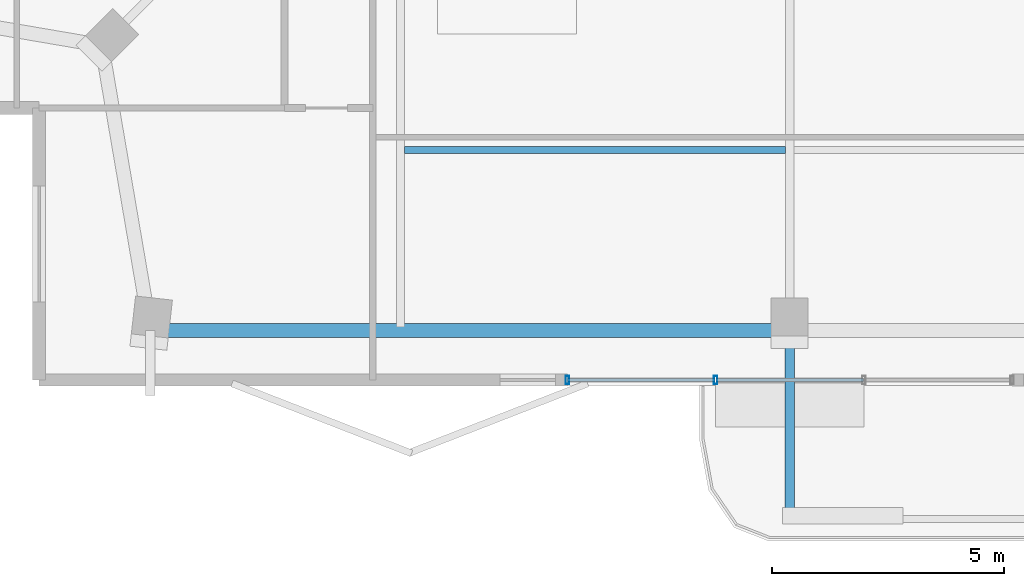
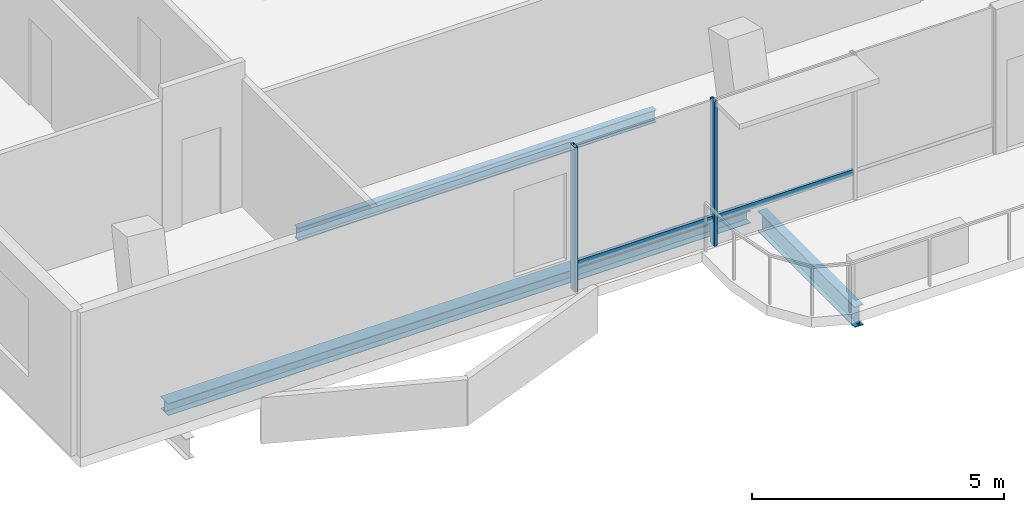
# One storey, part 2 of 19: 4 members, 3 beams, 1 element without a shape of its own.
"""IFC4 building model written with IfcOpenShell, lengths in metres."""

import ifcopenshell
import ifcopenshell.guid

model = None  # the IFC model being written
_history = None  # IfcOwnerHistory: only IFC2X3 demands one
_inside = {}  # id of a spatial element -> (the spatial element, [elements in it])
_under = {}  # id of a project, library or spatial element -> (it, [spatial elements below it])
_declared = {}  # id of a project -> (the project, [libraries it declares])
_typed = {}  # id of a type object -> (the type object, [elements of that type])
_made_of = {}  # id of a material, layer set ... -> (it, [elements and type objects made of it])


def new_model(schema):
    """Start an empty IFC model of exactly this schema.

    Asked for "IFC4X3", IfcOpenShell would pick the latest addendum, in which some entities
    have other attributes; the version numbers below select the first issue.
    IFC2X3 requires an IfcOwnerHistory on every rooted entity: one is made here for all.
    """
    global model, _history
    if schema == "IFC4X3":
        model = ifcopenshell.file(schema_version=(4, 3, 0, 0))
    else:
        model = ifcopenshell.file(schema=schema)
    _inside.clear()
    _under.clear()
    _declared.clear()
    _typed.clear()
    _made_of.clear()
    _history = None
    if model.schema == "IFC2X3":
        org = make("IfcOrganization", Name="unknown")
        user = make(
            "IfcPersonAndOrganization",
            ThePerson=make("IfcPerson", FamilyName="unknown"),
            TheOrganization=org,
        )
        app = make(
            "IfcApplication",
            ApplicationDeveloper=org,
            Version="unknown",
            ApplicationFullName="unknown",
            ApplicationIdentifier="unknown",
        )
        _history = make(
            "IfcOwnerHistory",
            OwningUser=user,
            OwningApplication=app,
            ChangeAction="ADDED",
            CreationDate=0,
        )
    return model


def make(cls, **values):
    """One entity of the class cls with the attributes given. An attribute that is None is left unset."""
    return model.create_entity(
        cls, **{name: value for name, value in values.items() if value is not None}
    )


def rooted(cls, **values):
    """An entity with a GlobalId (a new one), such as an element, a storey or a relation."""
    return make(cls, GlobalId=ifcopenshell.guid.new(), OwnerHistory=_history, **values)


def si_unit(unit_type, name, prefix=None):
    """IfcSIUnit, for example si_unit("LENGTHUNIT", "METRE", prefix="MILLI")."""
    return make("IfcSIUnit", UnitType=unit_type, Prefix=prefix, Name=name)


def assignment(units):
    """IfcUnitAssignment: the units of a project."""
    return None if units is None else make("IfcUnitAssignment", Units=units)


def point(xyz):
    """IfcCartesianPoint."""
    return None if xyz is None else make("IfcCartesianPoint", Coordinates=xyz)


def direction(xyz):
    """IfcDirection."""
    return None if xyz is None else make("IfcDirection", DirectionRatios=xyz)


def frame(location, z_axis=None, x_axis=None):
    """IfcAxis2Placement3D, a coordinate frame: its origin and axes. An axis left out is left unset."""
    return make(
        "IfcAxis2Placement3D",
        Location=point(location),
        Axis=direction(z_axis),
        RefDirection=direction(x_axis),
    )


def frame_2d(location, x_axis=None):
    """IfcAxis2Placement2D, a coordinate frame in the plane: its origin and x axis."""
    return make(
        "IfcAxis2Placement2D", Location=point(location), RefDirection=direction(x_axis)
    )


def origin():
    """The frame at (0, 0, 0) with its axes left unset."""
    return frame((0.0, 0.0, 0.0))


def origin_2d():
    """The frame at (0, 0) in the plane with its x axis left unset."""
    return frame_2d((0.0, 0.0))


def place(relative_to, where):
    """IfcLocalPlacement: puts the frame where relative to a parent placement (None: the world)."""
    return make(
        "IfcLocalPlacement", PlacementRelTo=relative_to, RelativePlacement=where
    )


def context(
    kind, dimensions, precision=None, world=None, true_north=None, identifier=None
):
    """IfcGeometricRepresentationContext, for example the 3D "Model" context."""
    return make(
        "IfcGeometricRepresentationContext",
        ContextIdentifier=identifier,
        ContextType=kind,
        CoordinateSpaceDimension=dimensions,
        Precision=precision,
        WorldCoordinateSystem=world,
        TrueNorth=true_north,
    )


def subcontext(parent, identifier, kind, view, scale=None):
    """IfcGeometricRepresentationSubContext, for example "Body" below "Model"."""
    return make(
        "IfcGeometricRepresentationSubContext",
        ContextIdentifier=identifier,
        ContextType=kind,
        ParentContext=parent,
        TargetScale=scale,
        TargetView=view,
    )


def project(units=None, contexts=None):
    """IfcProject with its units and contexts."""
    return rooted(
        "IfcProject",
        Name="project",
        RepresentationContexts=contexts,
        UnitsInContext=assignment(units),
    )


def spatial(cls, under=None, at=None, **own):
    """A site, building, storey or space (cls), placed at a placement, below another one or the project."""
    s = rooted(cls, ObjectPlacement=at, **own)
    if under is not None:
        _under.setdefault(under.id(), (under, []))[1].append(s)
    return s


def profile(cls, at=None, kind="AREA", **sizes):
    """A parametric profile (cls). Its sizes go by their IFC names, for example OverallWidth=200.0."""
    return make(cls, ProfileType=kind, Position=at, **sizes)


def hollow_rectangle(**sizes):
    """IfcRectangleHollowProfileDef."""
    return profile("IfcRectangleHollowProfileDef", **sizes)


def i_section(**sizes):
    """IfcIShapeProfileDef."""
    return profile("IfcIShapeProfileDef", **sizes)


def extrude(swept, where, along, depth):
    """IfcExtrudedAreaSolid: the profile swept, set in the frame where, extruded along a direction by depth."""
    return make(
        "IfcExtrudedAreaSolid",
        SweptArea=swept,
        Position=where,
        ExtrudedDirection=direction(along),
        Depth=depth,
    )


def shape(context_of_items, identifier, shape_type, items):
    """IfcShapeRepresentation: the items that make up one representation, for example the "Body"."""
    return make(
        "IfcShapeRepresentation",
        ContextOfItems=context_of_items,
        RepresentationIdentifier=identifier,
        RepresentationType=shape_type,
        Items=items,
    )


def material(Name=None, Category=None):
    """IfcMaterial."""
    return make("IfcMaterial", Name=Name, Category=Category)


def layer(
    of_material, thickness, ventilated=None, Name=None, Category=None, Priority=None
):
    """IfcMaterialLayer: one layer of a wall or slab, of a material (None: an air gap)."""
    return make(
        "IfcMaterialLayer",
        Material=of_material,
        LayerThickness=thickness,
        IsVentilated=ventilated,
        Name=Name,
        Category=Category,
        Priority=Priority,
    )


def layer_set(layers, Name=None):
    """IfcMaterialLayerSet."""
    return make("IfcMaterialLayerSet", MaterialLayers=layers, LayerSetName=Name)


def material_profile(
    of_material, cross_section, Name=None, Category=None, Priority=None
):
    """IfcMaterialProfile: a cross section and its material."""
    return make(
        "IfcMaterialProfile",
        Name=Name,
        Material=of_material,
        Profile=cross_section,
        Priority=Priority,
        Category=Category,
    )


def profile_set(profiles, Name=None, composite=None):
    """IfcMaterialProfileSet."""
    return make(
        "IfcMaterialProfileSet",
        Name=Name,
        MaterialProfiles=profiles,
        CompositeProfile=composite,
    )


def made_of(thing, what):
    """Note that an element or type object is made of a material, layer set ...; save() writes the relation."""
    if what is not None:
        _made_of.setdefault(what.id(), (what, []))[1].append(thing)
    return thing


def type_object(cls, material=None, **own):
    """A type object (cls), such as IfcWallType, which elements share."""
    return made_of(rooted(cls, **own), material)


def element(
    cls,
    number,
    at=None,
    inside=None,
    cuts=None,
    type_object=None,
    material=None,
    context=None,
    identifier="Body",
    shape_type=None,
    held_by="IfcProductDefinitionShape",
    body=None,
    shapes=None,
    **own,
):
    """One element of the class cls, such as IfcWall. Its Tag is "e" and its number.

    at: its placement. inside: the storey or other place that contains it. cuts: it is an
    opening in that element (IfcRelVoidsElement). A single representation is given by context,
    identifier, shape_type and body (its items); several are given by shapes. held_by: the class
    of the entity that holds the representations. save() writes the other relations.
    """
    e = rooted(cls, Tag="e%d" % number, ObjectPlacement=at, **own)
    if body is not None:
        shapes = [shape(context, identifier, shape_type, body)]
    if shapes is not None:
        e.Representation = make(held_by, Representations=shapes)
    if inside is not None:
        _inside.setdefault(inside.id(), (inside, []))[1].append(e)
    if cuts is not None:
        rooted(
            "IfcRelVoidsElement", RelatingBuildingElement=cuts, RelatedOpeningElement=e
        )
    if type_object is not None:
        _typed.setdefault(type_object.id(), (type_object, []))[1].append(e)
    return made_of(e, material)


def aggregate(whole, parts):
    """IfcRelAggregates: a whole, such as a stair, and the parts it consists of."""
    return rooted("IfcRelAggregates", RelatingObject=whole, RelatedObjects=parts)


def save(model, path):
    """Write the relations noted so far, then the file.

    IfcRelAggregates (storeys below a building ...), IfcRelContainedInSpatialStructure (elements
    in a storey), IfcRelDefinesByType, IfcRelAssociatesMaterial and IfcRelDeclares: one each for
    every whole, place, type object, material and project.
    """
    for whole, parts in _under.values():
        aggregate(whole, parts)
    for where, things in _inside.values():
        rooted(
            "IfcRelContainedInSpatialStructure",
            RelatedElements=things,
            RelatingStructure=where,
        )
    for kind, things in _typed.values():
        rooted("IfcRelDefinesByType", RelatedObjects=things, RelatingType=kind)
    for what, things in _made_of.values():
        rooted("IfcRelAssociatesMaterial", RelatedObjects=things, RelatingMaterial=what)
    for by, libraries in _declared.values():
        rooted("IfcRelDeclares", RelatingContext=by, RelatedDefinitions=libraries)
    model.write(path)


model = new_model("IFC4")

# Units and contexts
model_context = context("Model", 3, precision=1e-05, world=origin(), true_north=direction((0.0, 1.0)))
body_context = subcontext(model_context, "Body", "Model", "MODEL_VIEW")
ifc_project = project(units=[si_unit("LENGTHUNIT", "METRE"), si_unit("AREAUNIT", "SQUARE_METRE"), si_unit("VOLUMEUNIT", "CUBIC_METRE"), si_unit("PLANEANGLEUNIT", "RADIAN"), si_unit("MASSUNIT", "GRAM", prefix="KILO")], contexts=[model_context])

# Site, building, storey
site_placement = place(None, origin())
site = spatial("IfcSite", under=ifc_project, at=site_placement, CompositionType="ELEMENT")
building_placement = place(site_placement, origin())
building = spatial("IfcBuilding", under=site, at=building_placement, Name="Belovzor Exchange Tower", CompositionType="ELEMENT")
storey_placement = place(building_placement, frame((0.0, 0.0, 340.5)))
storey = spatial("IfcBuildingStorey", under=building, at=storey_placement, Name="L85", CompositionType="ELEMENT", Elevation=340.5)

# Beams
ifc_material_1 = material(Name="Steel S355", Category="steel")
ifc_material_profile_1 = material_profile(ifc_material_1, i_section(OverallWidth=0.199951171875, OverallDepth=0.5, WebThickness=0.01025390625, FlangeThickness=0.01611328125, at=origin_2d()))
ifc_profile_set_1 = profile_set([ifc_material_profile_1], Name="Steel S355")
beam_type_1 = type_object("IfcBeamType", Name="Planted Balcony Cantilever Beam IPE 500", PredefinedType="BEAM", material=ifc_profile_set_1)
beam_1_placement = place(storey_placement, frame((28.800048828125, 7.580078125, -0.489990234375), z_axis=(0.0, -1.0, 0.0), x_axis=(1.0, 0.0, 0.0)))
element("IfcBeam", 1, at=beam_1_placement, inside=storey, type_object=beam_type_1, Name="BC-500 Planted Balcony Cantilever Beam IPE 500", PredefinedType="BEAM", context=body_context, shape_type="SweptSolid", body=[
    extrude(i_section(OverallWidth=0.199951171875, OverallDepth=0.5, WebThickness=0.01025390625, FlangeThickness=0.01611328125, at=origin_2d()), origin(), (0.0, 0.0, 1.0), 3.85009765625),
])
ifc_material_2 = material(Name="Steel S355", Category="steel")
ifc_material_profile_2 = material_profile(ifc_material_2, i_section(OverallWidth=0.14990234375, OverallDepth=0.300048828125, WebThickness=0.007080078125, FlangeThickness=0.0107421875, at=origin_2d()))
ifc_profile_set_2 = profile_set([ifc_material_profile_2], Name="Steel S355")
beam_type_2 = type_object("IfcBeamType", Name="Secondary Trim Floor Joist IPE 300", PredefinedType="BEAM", material=ifc_profile_set_2)
beam_2_placement = place(storey_placement, frame((20.489990234375, 11.69091796875, -0.389892578125), z_axis=(1.0, 0.0, 0.0), x_axis=(0.0, 1.0, 0.0)))
element("IfcBeam", 2, at=beam_2_placement, inside=storey, type_object=beam_type_2, Name="FJ-300 Secondary Trim Floor Joist IPE 300", PredefinedType="BEAM", context=body_context, shape_type="SweptSolid", body=[
    extrude(i_section(OverallWidth=0.14990234375, OverallDepth=0.300048828125, WebThickness=0.007080078125, FlangeThickness=0.0107421875, at=origin_2d()), origin(), (0.0, 0.0, 1.0), 8.219970703125),
])

# Curtain wall, members
ifc_material_3 = material(Name="Anodised Aluminium Framing", Category="aluminium")
ifc_layer = layer(ifc_material_3, 0.179931640625)
ifc_layer_set = layer_set([ifc_layer], Name="Anodised Aluminium Framing")
curtain_wall_type = type_object("IfcCurtainWallType", Name="Recessed Loggia Low-Iron Triple-Glazed Curtain Wall", PredefinedType="NOTDEFINED", material=ifc_layer_set)
curtain_wall_placement = place(storey_placement, origin())
curtain_wall = element("IfcCurtainWall", 3, at=curtain_wall_placement, inside=storey, type_object=curtain_wall_type, Name="CW3 Recessed Loggia Low-Iron Triple-Glazed Curtain Wall L85", PredefinedType="NOTDEFINED")
ifc_material_4 = material(Name="Steel S355", Category="steel")
ifc_material_profile_3 = material_profile(ifc_material_4, hollow_rectangle(XDim=0.074951171875, YDim=0.179931640625, WallThickness=0.0048828125, at=origin_2d()))
ifc_profile_set_3 = profile_set([ifc_material_profile_3], Name="Steel S355")
member_type_1 = type_object("IfcMemberType", Name="Thermally Broken Curtain Wall Mullion 180x75", PredefinedType="MULLION", material=ifc_profile_set_3)
member_1_placement = place(storey_placement, frame((27.199951171875, 6.72998046875, 0.0), z_axis=(0.0, 0.0, 1.0), x_axis=(-1.0, 0.0, 0.0)))
member_1 = element("IfcMember", 4, at=member_1_placement, type_object=member_type_1, Name="CW-M180 Curtain Wall Mullion 3", PredefinedType="MULLION", context=body_context, shape_type="SweptSolid", body=[
    extrude(hollow_rectangle(XDim=0.074951171875, YDim=0.179931640625, WallThickness=0.0048828125, at=origin_2d()), origin(), (0.0, 0.0, 1.0), 3.510009765625),
])
member_2_placement = place(storey_placement, frame((24.0, 6.72998046875, 0.0), z_axis=(0.0, 0.0, 1.0), x_axis=(-1.0, 0.0, 0.0)))
member_2 = element("IfcMember", 5, at=member_2_placement, type_object=member_type_1, Name="CW-M180 Curtain Wall Mullion 4", PredefinedType="MULLION", context=body_context, shape_type="SweptSolid", body=[
    extrude(hollow_rectangle(XDim=0.074951171875, YDim=0.179931640625, WallThickness=0.0048828125, at=origin_2d()), origin(), (0.0, 0.0, 1.0), 3.510009765625),
])
ifc_material_5 = material(Name="Steel S355", Category="steel")
ifc_material_profile_4 = material_profile(ifc_material_5, hollow_rectangle(XDim=0.06005859375, YDim=0.14990234375, WallThickness=0.00390625, at=origin_2d()))
ifc_profile_set_4 = profile_set([ifc_material_profile_4], Name="Steel S355")
member_type_2 = type_object("IfcMemberType", Name="Thermally Broken Curtain Wall Transom 150x60", PredefinedType="USERDEFINED", material=ifc_profile_set_4)
member_3_placement = place(storey_placement, frame((30.39208984375, 6.72998046875, 0.632080078125), z_axis=(-1.0, 0.0, 0.0), x_axis=(0.0, -1.0, 0.0)))
member_3 = element("IfcMember", 6, at=member_3_placement, type_object=member_type_2, Name="CW-T150 Curtain Wall Transom 2", ObjectType="TRANSOM", PredefinedType="USERDEFINED", context=body_context, shape_type="SweptSolid", body=[
    extrude(hollow_rectangle(XDim=0.06005859375, YDim=0.14990234375, WallThickness=0.00390625, at=origin_2d()), origin(), (0.0, 0.0, 1.0), 3.18408203125),
])
member_4_placement = place(storey_placement, frame((27.19189453125, 6.72998046875, 0.632080078125), z_axis=(-1.0, 0.0, 0.0), x_axis=(0.0, -1.0, 0.0)))
member_4 = element("IfcMember", 7, at=member_4_placement, type_object=member_type_2, Name="CW-T150 Curtain Wall Transom 3", ObjectType="TRANSOM", PredefinedType="USERDEFINED", context=body_context, shape_type="SweptSolid", body=[
    extrude(hollow_rectangle(XDim=0.06005859375, YDim=0.14990234375, WallThickness=0.00390625, at=origin_2d()), origin(), (0.0, 0.0, 1.0), 3.183837890625),
])
aggregate(curtain_wall, [member_1, member_2, member_3, member_4])

# Beam
ifc_material_6 = material(Name="Steel S355", Category="steel")
ifc_material_profile_5 = material_profile(ifc_material_6, i_section(OverallWidth=0.300048828125, OverallDepth=0.300048828125, WebThickness=0.008544921875, FlangeThickness=0.013916015625, at=origin_2d()))
ifc_profile_set_5 = profile_set([ifc_material_profile_5], Name="Steel S355")
beam_type_3 = type_object("IfcBeamType", Name="Zone 6 Primary Girder HEA 300", PredefinedType="BEAM", material=ifc_profile_set_5)
beam_3_placement = place(storey_placement, frame((15.219970703125, 7.800048828125, -0.389892578125), z_axis=(1.0, 0.0, 0.0), x_axis=(0.0, 1.0, 0.0)))
element("IfcBeam", 8, at=beam_3_placement, inside=storey, type_object=beam_type_3, Name="FG-Z6 Zone 6 Primary Girder HEA 300", PredefinedType="BEAM", context=body_context, shape_type="SweptSolid", body=[
    extrude(i_section(OverallWidth=0.300048828125, OverallDepth=0.300048828125, WebThickness=0.008544921875, FlangeThickness=0.013916015625, at=origin_2d()), origin(), (0.0, 0.0, 1.0), 13.360107421875),
])

save(model, "model.ifc")
